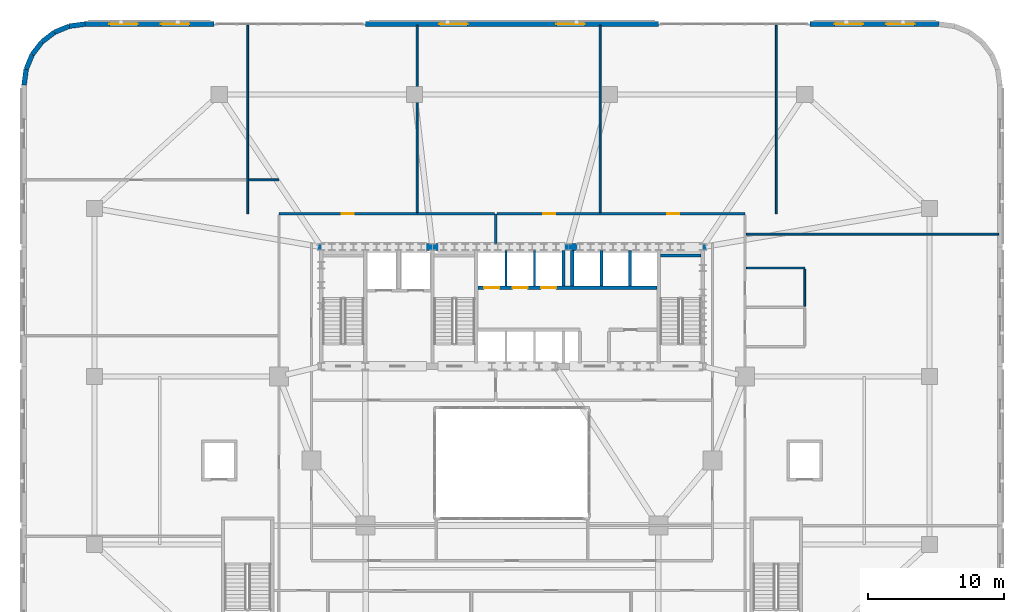
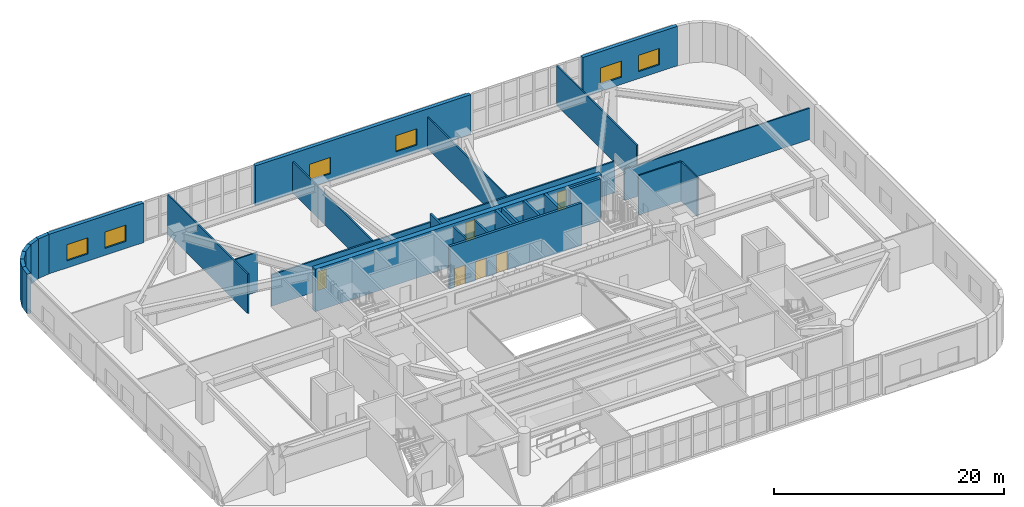
# One storey, part 16 of 25: 29 walls, 6 doors, 6 windows, 12 openings.
"""IFC4 building model written with IfcOpenShell, lengths in metres."""

from ifc_helpers import new_model, si_unit, direction, frame, frame_2d, origin, place, context, subcontext, project, spatial, rectangle, extrude, material, layer, layer_set, type_object, element, fill, save


model = new_model("IFC4")

# Units and contexts
model_context = context("Model", 3, precision=1e-05, world=origin(), true_north=direction((0.0, 1.0)))
body_context = subcontext(model_context, "Body", "Model", "MODEL_VIEW")
ifc_project = project(units=[si_unit("LENGTHUNIT", "METRE"), si_unit("AREAUNIT", "SQUARE_METRE"), si_unit("VOLUMEUNIT", "CUBIC_METRE"), si_unit("PLANEANGLEUNIT", "RADIAN"), si_unit("MASSUNIT", "GRAM", prefix="KILO")], contexts=[model_context])

# Site, building, storey
site_placement = place(None, origin())
site = spatial("IfcSite", under=ifc_project, at=site_placement, CompositionType="ELEMENT")
building_placement = place(site_placement, origin())
building = spatial("IfcBuilding", under=site, at=building_placement, Name="Haldorwick Loom Tower", CompositionType="ELEMENT")
storey_placement = place(building_placement, frame((0.0, 0.0, 6.0)))
storey = spatial("IfcBuildingStorey", under=building, at=storey_placement, Name="L01", CompositionType="ELEMENT", Elevation=6.0)

# Wall, openings, windows
ifc_material_1 = material(Name="Pressed Clay Face Brick and Insulated Masonry Backup Assembly", Category="masonry")
ifc_layer_1 = layer(ifc_material_1, 0.360107421875, Name="Pressed Clay Face Brick and Insulated Masonry Backup Assembly", Category="masonry")
ifc_layer_set_1 = layer_set([ifc_layer_1], Name="Pressed Clay Face Brick and Insulated Masonry Backup Assembly")
wall_type_1 = type_object("IfcWallType", Name="ARC-WL-EXT360", PredefinedType="STANDARD", material=ifc_layer_set_1)
wall_1_placement = place(storey_placement, frame((67.5, 52.0, 0.0), z_axis=(0.0, 0.0, 1.0), x_axis=(-1.0, 0.0, 0.0)))
wall_1 = element("IfcWall", 1, at=wall_1_placement, inside=storey, type_object=wall_type_1, Name="L01 Brick Pier and Spandrel Wall 17", PredefinedType="STANDARD", context=body_context, shape_type="SweptSolid", body=[
    extrude(rectangle(XDim=9.5, YDim=0.360107421875, at=frame_2d((4.75, 0.0))), origin(), (0.0, 0.0, 1.0), 4.199951171875),
])
opening_1_placement = place(wall_1_placement, frame((1.800048828125, 0.0, 0.75)))
opening_1 = element("IfcOpeningElement", 2, at=opening_1_placement, cuts=wall_1, Name="Opening W-04", PredefinedType="OPENING", context=body_context, shape_type="SweptSolid", body=[
    extrude(rectangle(XDim=2.10009765625, YDim=1.719970703125, at=frame_2d((1.050048828125, 0.85986328125))), frame((0.0, 0.18994140625, 0.0), z_axis=(0.0, -1.0, 0.0), x_axis=(1.0, 0.0, 0.0)), (0.0, 0.0, 1.0), 0.380126953125),
])
opening_2_placement = place(wall_1_placement, frame((5.60009765625, 0.0, 0.75)))
opening_2 = element("IfcOpeningElement", 3, at=opening_2_placement, cuts=wall_1, Name="Opening W-04", PredefinedType="OPENING", context=body_context, shape_type="SweptSolid", body=[
    extrude(rectangle(XDim=2.10009765625, YDim=1.719970703125, at=frame_2d((1.050048828125, 0.85986328125))), frame((0.0, 0.18994140625, 0.0), z_axis=(0.0, -1.0, 0.0), x_axis=(1.0, 0.0, 0.0)), (0.0, 0.0, 1.0), 0.380126953125),
])
ifc_material_2 = material(Name="Triple-Glazed Low-E Argon Insulated Glazing Unit", Category="glass")
window_type = type_object("IfcWindowType", Name="ARC-WIN-W210", PartitioningType="SINGLE_PANEL", PredefinedType="WINDOW", material=ifc_material_2)
window_1_placement = place(opening_1_placement, origin())
window_1 = element("IfcWindow", 4, at=window_1_placement, inside=storey, type_object=window_type, Name="L01 Deep-Set Zone 7A Window 17", OverallHeight=1.719970703125, OverallWidth=2.10009765625, PartitioningType="SINGLE_PANEL", PredefinedType="WINDOW", context=body_context, shape_type="SweptSolid", body=[
    extrude(rectangle(XDim=2.10009765625, YDim=1.719970703125, at=frame_2d((1.050048828125, 0.85986328125))), frame((0.0, 0.030029296875, 0.0), z_axis=(0.0, -1.0, 0.0), x_axis=(1.0, 0.0, 0.0)), (0.0, 0.0, 1.0), 0.06005859375),
])
fill(opening_1, window_1)
window_2_placement = place(opening_2_placement, origin())
window_2 = element("IfcWindow", 5, at=window_2_placement, inside=storey, type_object=window_type, Name="L01 Deep-Set Zone 7A Window 17", OverallHeight=1.719970703125, OverallWidth=2.10009765625, PartitioningType="SINGLE_PANEL", PredefinedType="WINDOW", context=body_context, shape_type="SweptSolid", body=[
    extrude(rectangle(XDim=2.10009765625, YDim=1.719970703125, at=frame_2d((1.050048828125, 0.85986328125))), frame((0.0, 0.030029296875, 0.0), z_axis=(0.0, -1.0, 0.0), x_axis=(1.0, 0.0, 0.0)), (0.0, 0.0, 1.0), 0.06005859375),
])
fill(opening_2, window_2)

wall_2_placement = place(storey_placement, frame((46.800048828125, 52.0, 0.0), z_axis=(0.0, 0.0, 1.0), x_axis=(-1.0, 0.0, 0.0)))
wall_2 = element("IfcWall", 6, at=wall_2_placement, inside=storey, type_object=wall_type_1, Name="L01 Brick Pier and Spandrel Wall 19", PredefinedType="STANDARD", context=body_context, shape_type="SweptSolid", body=[
    extrude(rectangle(XDim=21.60009765625, YDim=0.360107421875, at=frame_2d((10.800048828125, 0.0))), origin(), (0.0, 0.0, 1.0), 4.199951171875),
])
opening_3_placement = place(wall_2_placement, frame((5.429931640625, 0.0, 0.75)))
opening_3 = element("IfcOpeningElement", 7, at=opening_3_placement, cuts=wall_2, Name="Opening W-04", PredefinedType="OPENING", context=body_context, shape_type="SweptSolid", body=[
    extrude(rectangle(XDim=2.10009765625, YDim=1.719970703125, at=frame_2d((1.050048828125, 0.85986328125))), frame((0.0, 0.18994140625, 0.0), z_axis=(0.0, -1.0, 0.0), x_axis=(1.0, 0.0, 0.0)), (0.0, 0.0, 1.0), 0.380126953125),
])
opening_4_placement = place(wall_2_placement, frame((14.070068359375, 0.0, 0.75)))
opening_4 = element("IfcOpeningElement", 8, at=opening_4_placement, cuts=wall_2, Name="Opening W-04", PredefinedType="OPENING", context=body_context, shape_type="SweptSolid", body=[
    extrude(rectangle(XDim=2.10009765625, YDim=1.719970703125, at=frame_2d((1.050048828125, 0.85986328125))), frame((0.0, 0.18994140625, 0.0), z_axis=(0.0, -1.0, 0.0), x_axis=(1.0, 0.0, 0.0)), (0.0, 0.0, 1.0), 0.380126953125),
])
window_3_placement = place(opening_3_placement, origin())
window_3 = element("IfcWindow", 9, at=window_3_placement, inside=storey, type_object=window_type, Name="L01 Deep-Set Zone 7A Window 19", OverallHeight=1.719970703125, OverallWidth=2.10009765625, PartitioningType="SINGLE_PANEL", PredefinedType="WINDOW", context=body_context, shape_type="SweptSolid", body=[
    extrude(rectangle(XDim=2.10009765625, YDim=1.719970703125, at=frame_2d((1.050048828125, 0.85986328125))), frame((0.0, 0.030029296875, 0.0), z_axis=(0.0, -1.0, 0.0), x_axis=(1.0, 0.0, 0.0)), (0.0, 0.0, 1.0), 0.06005859375),
])
fill(opening_3, window_3)
window_4_placement = place(opening_4_placement, origin())
window_4 = element("IfcWindow", 10, at=window_4_placement, inside=storey, type_object=window_type, Name="L01 Deep-Set Zone 7A Window 19", OverallHeight=1.719970703125, OverallWidth=2.10009765625, PartitioningType="SINGLE_PANEL", PredefinedType="WINDOW", context=body_context, shape_type="SweptSolid", body=[
    extrude(rectangle(XDim=2.10009765625, YDim=1.719970703125, at=frame_2d((1.050048828125, 0.85986328125))), frame((0.0, 0.030029296875, 0.0), z_axis=(0.0, -1.0, 0.0), x_axis=(1.0, 0.0, 0.0)), (0.0, 0.0, 1.0), 0.06005859375),
])
fill(opening_4, window_4)

wall_3_placement = place(storey_placement, frame((14.0, 52.0, 0.0), z_axis=(0.0, 0.0, 1.0), x_axis=(-1.0, 0.0, 0.0)))
wall_3 = element("IfcWall", 11, at=wall_3_placement, inside=storey, type_object=wall_type_1, Name="L01 Brick Pier and Spandrel Wall 21", PredefinedType="STANDARD", context=body_context, shape_type="SweptSolid", body=[
    extrude(rectangle(XDim=9.5, YDim=0.360107421875, at=frame_2d((4.75, 0.0))), origin(), (0.0, 0.0, 1.0), 4.199951171875),
])
opening_5_placement = place(wall_3_placement, frame((1.800048828125, 0.0, 0.75)))
opening_5 = element("IfcOpeningElement", 12, at=opening_5_placement, cuts=wall_3, Name="Opening W-04", PredefinedType="OPENING", context=body_context, shape_type="SweptSolid", body=[
    extrude(rectangle(XDim=2.10009765625, YDim=1.719970703125, at=frame_2d((1.050048828125, 0.85986328125))), frame((0.0, 0.18994140625, 0.0), z_axis=(0.0, -1.0, 0.0), x_axis=(1.0, 0.0, 0.0)), (0.0, 0.0, 1.0), 0.380126953125),
])
opening_6_placement = place(wall_3_placement, frame((5.60009765625, 0.0, 0.75)))
opening_6 = element("IfcOpeningElement", 13, at=opening_6_placement, cuts=wall_3, Name="Opening W-04", PredefinedType="OPENING", context=body_context, shape_type="SweptSolid", body=[
    extrude(rectangle(XDim=2.10009765625, YDim=1.719970703125, at=frame_2d((1.050048828125, 0.85986328125))), frame((0.0, 0.18994140625, 0.0), z_axis=(0.0, -1.0, 0.0), x_axis=(1.0, 0.0, 0.0)), (0.0, 0.0, 1.0), 0.380126953125),
])
window_5_placement = place(opening_5_placement, origin())
window_5 = element("IfcWindow", 14, at=window_5_placement, inside=storey, type_object=window_type, Name="L01 Deep-Set Zone 7A Window 21", OverallHeight=1.719970703125, OverallWidth=2.10009765625, PartitioningType="SINGLE_PANEL", PredefinedType="WINDOW", context=body_context, shape_type="SweptSolid", body=[
    extrude(rectangle(XDim=2.10009765625, YDim=1.719970703125, at=frame_2d((1.050048828125, 0.85986328125))), frame((0.0, 0.030029296875, 0.0), z_axis=(0.0, -1.0, 0.0), x_axis=(1.0, 0.0, 0.0)), (0.0, 0.0, 1.0), 0.06005859375),
])
fill(opening_5, window_5)
window_6_placement = place(opening_6_placement, origin())
window_6 = element("IfcWindow", 15, at=window_6_placement, inside=storey, type_object=window_type, Name="L01 Deep-Set Zone 7A Window 21", OverallHeight=1.719970703125, OverallWidth=2.10009765625, PartitioningType="SINGLE_PANEL", PredefinedType="WINDOW", context=body_context, shape_type="SweptSolid", body=[
    extrude(rectangle(XDim=2.10009765625, YDim=1.719970703125, at=frame_2d((1.050048828125, 0.85986328125))), frame((0.0, 0.030029296875, 0.0), z_axis=(0.0, -1.0, 0.0), x_axis=(1.0, 0.0, 0.0)), (0.0, 0.0, 1.0), 0.06005859375),
])
fill(opening_6, window_6)

# Walls
wall_4_placement = place(storey_placement, frame((4.5, 52.0, 0.0), z_axis=(0.0, 0.0, 1.0), x_axis=(-0.991447928588, -0.130502892298, 0.0)))
element("IfcWall", 16, at=wall_4_placement, inside=storey, type_object=wall_type_1, Name="L01 Brick Pier and Spandrel Wall 22", PredefinedType="STANDARD", context=body_context, shape_type="SweptSolid", body=[
    extrude(rectangle(XDim=1.1748046875, YDim=0.360107421875, at=frame_2d((0.58740234375, 0.0))), origin(), (0.0, 0.0, 1.0), 4.199951171875),
])
wall_5_placement = place(storey_placement, frame((3.335205078125, 51.8466796875, 0.0), z_axis=(0.0, 0.0, 1.0), x_axis=(-0.923892706888, -0.382651625058, 0.0)))
element("IfcWall", 17, at=wall_5_placement, inside=storey, type_object=wall_type_1, Name="L01 Brick Pier and Spandrel Wall 23", PredefinedType="STANDARD", context=body_context, shape_type="SweptSolid", body=[
    extrude(rectangle(XDim=1.174560546875, YDim=0.360107421875, at=frame_2d((0.58740234375, 0.0))), origin(), (0.0, 0.0, 1.0), 4.199951171875),
])
for number, where, z_axis, x_axis, name in (
    (18, (2.25, 51.397216796875, 0.0), (0.0, 0.0, 1.0), (-0.79324162823, -0.60890698735, 0.0), "L01 Brick Pier and Spandrel Wall 24"),
    (19, (1.318115234375, 50.681884765625, 0.0), (0.0, 0.0, 1.0), (-0.60890698735, -0.79324162823, 0.0), "L01 Brick Pier and Spandrel Wall 25"),
):
    element("IfcWall", number, at=place(storey_placement, frame(where, z_axis=z_axis, x_axis=x_axis)), inside=storey, type_object=wall_type_1, Name=name, PredefinedType="STANDARD", context=body_context, shape_type="SweptSolid", body=[
        extrude(rectangle(XDim=1.1748046875, YDim=0.360107421875, at=frame_2d((0.58740234375, 0.0))), origin(), (0.0, 0.0, 1.0), 4.199951171875),
    ])
wall_6_placement = place(storey_placement, frame((0.602783203125, 49.75, 0.0), z_axis=(0.0, 0.0, 1.0), x_axis=(-0.382651625058, -0.923892706888, 0.0)))
element("IfcWall", 20, at=wall_6_placement, inside=storey, type_object=wall_type_1, Name="L01 Brick Pier and Spandrel Wall 26", PredefinedType="STANDARD", context=body_context, shape_type="SweptSolid", body=[
    extrude(rectangle(XDim=1.174560546875, YDim=0.360107421875, at=frame_2d((0.58740234375, 0.0))), origin(), (0.0, 0.0, 1.0), 4.199951171875),
])
wall_7_placement = place(storey_placement, frame((0.1533203125, 48.664794921875, 0.0), z_axis=(0.0, 0.0, 1.0), x_axis=(-0.130502892298, -0.991447928588, 0.0)))
element("IfcWall", 21, at=wall_7_placement, inside=storey, type_object=wall_type_1, Name="L01 Brick Pier and Spandrel Wall 27", PredefinedType="STANDARD", context=body_context, shape_type="SweptSolid", body=[
    extrude(rectangle(XDim=1.1748046875, YDim=0.360107421875, at=frame_2d((0.58740234375, 0.0))), origin(), (0.0, 0.0, 1.0), 4.199951171875),
])
ifc_material_3 = material(Name="Fire-Rated Type X Gypsum Stud Assembly EI 60")
ifc_layer_2 = layer(ifc_material_3, 0.159912109375, Name="Fire-Rated Type X Gypsum Stud Assembly EI 60")
ifc_layer_set_2 = layer_set([ifc_layer_2], Name="Fire-Rated Type X Gypsum Stud Assembly EI 60")
wall_type_2 = type_object("IfcWallType", Name="ARC-WL-FIRE160", PredefinedType="PARTITIONING", material=ifc_layer_set_2)
wall_8_placement = place(storey_placement, frame((34.800048828125, 35.802978515625, 0.0), z_axis=(0.0, 0.0, 1.0), x_axis=(0.0, 1.0, 0.0)))
element("IfcWall", 22, at=wall_8_placement, inside=storey, type_object=wall_type_2, Name="L01 Podium Partition L01-CCN", PredefinedType="PARTITIONING", context=body_context, shape_type="SweptSolid", body=[
    extrude(rectangle(XDim=2.197021484375, YDim=0.159912109375, at=frame_2d((1.0986328125, 0.0))), origin(), (0.0, 0.0, 1.0), 4.18505859375),
])

# Wall, opening, door
wall_9_placement = place(storey_placement, frame((18.800048828125, 38.0, 0.0), z_axis=(0.0, 0.0, 1.0), x_axis=(1.0, 0.0, 0.0)))
wall_9 = element("IfcWall", 23, at=wall_9_placement, inside=storey, type_object=wall_type_2, Name="L01 Podium Partition L01-CN0", PredefinedType="PARTITIONING", context=body_context, shape_type="SweptSolid", body=[
    extrude(rectangle(XDim=15.9169921875, YDim=0.159912109375, at=frame_2d((7.95849609375, 0.0))), origin(), (0.0, 0.0, 1.0), 3.320068359375),
])
opening_7_placement = place(wall_9_placement, frame((4.634521484375, 0.0, 0.0)))
opening_7 = element("IfcOpeningElement", 24, at=opening_7_placement, cuts=wall_9, Name="Opening D-FD60A", PredefinedType="OPENING", context=body_context, shape_type="SweptSolid", body=[
    extrude(rectangle(XDim=0.89990234375, YDim=2.0, at=frame_2d((0.449951171875, 1.0))), frame((0.0, 0.08984375, 0.0), z_axis=(0.0, -1.0, 0.0), x_axis=(1.0, 0.0, 0.0)), (0.0, 0.0, 1.0), 0.179931640625),
])
ifc_material_4 = material(Name="Hollow Steel Fire Door Assembly", Category="steel")
door_type_1 = type_object("IfcDoorType", Name="ARC-DR-FD60-90", OperationType="NOTDEFINED", PredefinedType="DOOR", material=ifc_material_4)
door_1_placement = place(opening_7_placement, frame((0.89990234375, 0.0, 0.0), z_axis=(0.0, 0.0, 1.0), x_axis=(-1.0, 0.0, 0.0)))
door_1 = element("IfcDoor", 25, at=door_1_placement, inside=storey, type_object=door_type_1, Name="L01 Outpatient Waiting Hall 19 to L01 South Clinic Corridor Door", OperationType="SINGLE_SWING_RIGHT", OverallHeight=2.0, OverallWidth=0.89990234375, PredefinedType="DOOR", context=body_context, shape_type="SweptSolid", body=[
    extrude(rectangle(XDim=0.89990234375, YDim=2.0, at=frame_2d((0.449951171875, 1.0))), frame((0.0, 0.02490234375, 0.0), z_axis=(0.0, -1.0, 0.0), x_axis=(1.0, 0.0, 0.0)), (0.0, 0.0, 1.0), 0.050048828125),
])
fill(opening_7, door_1)

# Wall, openings, doors
wall_10_placement = place(storey_placement, frame((34.883056640625, 38.0, 0.0), z_axis=(0.0, 0.0, 1.0), x_axis=(1.0, 0.0, 0.0)))
wall_10 = element("IfcWall", 26, at=wall_10_placement, inside=storey, type_object=wall_type_2, Name="L01 Podium Partition L01-CN0", PredefinedType="PARTITIONING", context=body_context, shape_type="SweptSolid", body=[
    extrude(rectangle(XDim=18.31689453125, YDim=0.159912109375, at=frame_2d((9.158447265625, 0.0))), origin(), (0.0, 0.0, 1.0), 3.320068359375),
])
opening_8_placement = place(wall_10_placement, frame((12.570556640625, 0.0, 0.0)))
opening_8 = element("IfcOpeningElement", 27, at=opening_8_placement, cuts=wall_10, Name="Opening D-FD60A", PredefinedType="OPENING", context=body_context, shape_type="SweptSolid", body=[
    extrude(rectangle(XDim=0.89990234375, YDim=2.0, at=frame_2d((0.449951171875, 1.0))), frame((0.0, 0.08984375, 0.0), z_axis=(0.0, -1.0, 0.0), x_axis=(1.0, 0.0, 0.0)), (0.0, 0.0, 1.0), 0.179931640625),
])
opening_9_placement = place(wall_10_placement, frame((3.412109375, 0.0, 0.0)))
opening_9 = element("IfcOpeningElement", 28, at=opening_9_placement, cuts=wall_10, Name="Opening D-FD60A", PredefinedType="OPENING", context=body_context, shape_type="SweptSolid", body=[
    extrude(rectangle(XDim=0.89990234375, YDim=2.0, at=frame_2d((0.449951171875, 1.0))), frame((0.0, 0.08984375, 0.0), z_axis=(0.0, -1.0, 0.0), x_axis=(1.0, 0.0, 0.0)), (0.0, 0.0, 1.0), 0.179931640625),
])
door_2_placement = place(opening_8_placement, frame((0.89990234375, 0.0, 0.0), z_axis=(0.0, 0.0, 1.0), x_axis=(-1.0, 0.0, 0.0)))
door_2 = element("IfcDoor", 29, at=door_2_placement, inside=storey, type_object=door_type_1, Name="L01 Patient Registration Office 20 to L01 South Clinic Corridor Door", OperationType="SINGLE_SWING_LEFT", OverallHeight=2.0, OverallWidth=0.89990234375, PredefinedType="DOOR", context=body_context, shape_type="SweptSolid", body=[
    extrude(rectangle(XDim=0.89990234375, YDim=2.0, at=frame_2d((0.449951171875, 1.0))), frame((0.0, 0.02490234375, 0.0), z_axis=(0.0, -1.0, 0.0), x_axis=(1.0, 0.0, 0.0)), (0.0, 0.0, 1.0), 0.050048828125),
])
fill(opening_8, door_2)
door_3_placement = place(opening_9_placement, frame((0.89990234375, 0.0, 0.0), z_axis=(0.0, 0.0, 1.0), x_axis=(-1.0, 0.0, 0.0)))
door_3 = element("IfcDoor", 30, at=door_3_placement, inside=storey, type_object=door_type_1, Name="L01 Station Mezzanine Lounge 21 to L01 South Clinic Corridor Door", OperationType="SINGLE_SWING_RIGHT", OverallHeight=2.0, OverallWidth=0.89990234375, PredefinedType="DOOR", context=body_context, shape_type="SweptSolid", body=[
    extrude(rectangle(XDim=0.89990234375, YDim=2.0, at=frame_2d((0.449951171875, 1.0))), frame((0.0, 0.02490234375, 0.0), z_axis=(0.0, -1.0, 0.0), x_axis=(1.0, 0.0, 0.0)), (0.0, 0.0, 1.0), 0.050048828125),
])
fill(opening_9, door_3)

# Walls
ifc_layer_3 = layer(ifc_material_3, 0.139892578125, Name="Fire-Rated Type X Gypsum Stud Assembly EI 60")
ifc_layer_set_3 = layer_set([ifc_layer_3], Name="Fire-Rated Type X Gypsum Stud Assembly EI 60")
wall_type_3 = type_object("IfcWallType", Name="ARC-WL-PART140", PredefinedType="PARTITIONING", material=ifc_layer_set_3)
wall_11_placement = place(storey_placement, frame((53.282958984375, 34.0, 0.0), z_axis=(0.0, 0.0, 1.0), x_axis=(1.0, 0.0, 0.0)))
element("IfcWall", 31, at=wall_11_placement, inside=storey, type_object=wall_type_3, Name="L01 Podium Partition L01-WC3", PredefinedType="PARTITIONING", context=body_context, shape_type="SweptSolid", body=[
    extrude(rectangle(XDim=4.317138671875, YDim=0.139892578125, at=frame_2d((2.15869140625, 0.0))), origin(), (0.0, 0.0, 1.0), 4.18505859375),
])
wall_12_placement = place(storey_placement, frame((57.60009765625, 31.173095703125, 0.0), z_axis=(0.0, 0.0, 1.0), x_axis=(0.0, 1.0, 0.0)))
element("IfcWall", 32, at=wall_12_placement, inside=storey, type_object=wall_type_3, Name="L01 Podium Partition L01-WC4", PredefinedType="PARTITIONING", context=body_context, shape_type="SweptSolid", body=[
    extrude(rectangle(XDim=2.75390625, YDim=0.139892578125, at=frame_2d((1.376953125, 0.0))), origin(), (0.0, 0.0, 1.0), 4.18505859375),
])
wall_13_placement = place(storey_placement, frame((16.5, 38.0, 0.0), z_axis=(0.0, 0.0, 1.0), x_axis=(0.0, 1.0, 0.0)))
element("IfcWall", 33, at=wall_13_placement, inside=storey, type_object=wall_type_3, Name="L01 Podium Partition L01-PN-0", PredefinedType="PARTITIONING", context=body_context, shape_type="SweptSolid", body=[
    extrude(rectangle(XDim=13.89990234375, YDim=0.139892578125, at=frame_2d((6.949951171875, 0.0))), origin(), (0.0, 0.0, 1.0), 4.18505859375),
])
for number, where, z_axis, x_axis, name in (
    (34, (29.0, 38.0830078125, 0.0), (0.0, 0.0, 1.0), (0.0, 1.0, 0.0), "L01 Podium Partition L01-PN-1"),
    (35, (42.5, 38.0830078125, 0.0), (0.0, 0.0, 1.0), (0.0, 1.0, 0.0), "L01 Podium Partition L01-PN-2"),
):
    element("IfcWall", number, at=place(storey_placement, frame(where, z_axis=z_axis, x_axis=x_axis)), inside=storey, type_object=wall_type_3, Name=name, PredefinedType="PARTITIONING", context=body_context, shape_type="SweptSolid", body=[
        extrude(rectangle(XDim=13.81689453125, YDim=0.139892578125, at=frame_2d((6.908447265625, 0.0))), origin(), (0.0, 0.0, 1.0), 3.320068359375),
    ])
wall_14_placement = place(storey_placement, frame((55.5, 38.0, 0.0), z_axis=(0.0, 0.0, 1.0), x_axis=(0.0, 1.0, 0.0)))
element("IfcWall", 36, at=wall_14_placement, inside=storey, type_object=wall_type_3, Name="L01 Podium Partition L01-PN-3", PredefinedType="PARTITIONING", context=body_context, shape_type="SweptSolid", body=[
    extrude(rectangle(XDim=13.89990234375, YDim=0.139892578125, at=frame_2d((6.949951171875, 0.0))), origin(), (0.0, 0.0, 1.0), 4.18505859375),
])
wall_15_placement = place(storey_placement, frame((16.572998046875, 40.5, 0.0), z_axis=(0.0, 0.0, 1.0), x_axis=(1.0, 0.0, 0.0)))
element("IfcWall", 37, at=wall_15_placement, inside=storey, type_object=wall_type_3, Name="L01 Podium Partition L01-PW-2", PredefinedType="PARTITIONING", context=body_context, shape_type="SweptSolid", body=[
    extrude(rectangle(XDim=2.22705078125, YDim=0.139892578125, at=frame_2d((1.113525390625, 0.0))), origin(), (0.0, 0.0, 1.0), 4.18505859375),
])
wall_16_placement = place(storey_placement, frame((53.282958984375, 36.5, 0.0), z_axis=(0.0, 0.0, 1.0), x_axis=(1.0, 0.0, 0.0)))
element("IfcWall", 38, at=wall_16_placement, inside=storey, type_object=wall_type_3, Name="L01 Podium Partition L01-PE-1", PredefinedType="PARTITIONING", context=body_context, shape_type="SweptSolid", body=[
    extrude(rectangle(XDim=18.616943359375, YDim=0.139892578125, at=frame_2d((9.30859375, 0.0))), origin(), (0.0, 0.0, 1.0), 3.320068359375),
])
ifc_material_5 = material(Name="Fire-Rated Type X Gypsum Stud Assembly EI 120")
ifc_layer_4 = layer(ifc_material_5, 0.1650390625, Name="Fire-Rated Type X Gypsum Stud Assembly EI 120")
ifc_layer_set_4 = layer_set([ifc_layer_4], Name="Fire-Rated Type X Gypsum Stud Assembly EI 120")
wall_type_4 = type_object("IfcWallType", Name="ARC-WL-SHAFT160", PredefinedType="MOVABLE", material=ifc_layer_set_4)
for number, where, z_axis, x_axis, name in (
    (39, (35.550048828125, 32.673095703125, 0.0), (0.0, 0.0, 1.0), (0.0, 1.0, 0.0), "L01 Low-Rise Hoistway Divider 1"),
    (40, (37.64990234375, 32.673095703125, 0.0), (0.0, 0.0, 1.0), (0.0, 1.0, 0.0), "L01 Low-Rise Hoistway Divider 2"),
):
    element("IfcWall", number, at=place(storey_placement, frame(where, z_axis=z_axis, x_axis=x_axis)), inside=storey, type_object=wall_type_4, Name=name, PredefinedType="MOVABLE", context=body_context, shape_type="SweptSolid", body=[
        extrude(rectangle(XDim=2.6240234375, YDim=0.159912109375, at=frame_2d((1.31201171875, 0.0))), origin(), (0.0, 0.0, 1.0), 4.18505859375),
    ])
ifc_material_6 = material(Name="Concrete C60 (60 MPa)", Category="concrete")
ifc_layer_5 = layer(ifc_material_6, 0.5, Name="Concrete C60 (60 MPa)", Category="concrete")
ifc_layer_set_5 = layer_set([ifc_layer_5], Name="Concrete C60 (60 MPa)")
wall_type_5 = type_object("IfcWallType", Name="STR-WL-CORE500", PredefinedType="SHEAR", material=ifc_layer_set_5)
wall_17_placement = place(storey_placement, frame((50.35009765625, 35.550048828125, 0.0), z_axis=(0.0, 0.0, 1.0), x_axis=(-1.0, 0.0, 0.0)))
element("IfcWall", 41, at=wall_17_placement, inside=storey, type_object=wall_type_5, Name="L01 Core Shear Wall N", PredefinedType="SHEAR", context=body_context, shape_type="SweptSolid", body=[
    extrude(rectangle(XDim=28.7001953125, YDim=0.5, at=frame_2d((14.35009765625, 0.0))), origin(), (0.0, 0.0, 1.0), 4.5),
])
ifc_material_7 = material(Name="Concrete C50 (50 MPa)", Category="concrete")
ifc_layer_6 = layer(ifc_material_7, 0.239990234375, Name="Concrete C50 (50 MPa)", Category="concrete")
ifc_layer_set_6 = layer_set([ifc_layer_6], Name="Concrete C50 (50 MPa)")
wall_type_6 = type_object("IfcWallType", Name="STR-WL-SHAFT240", PredefinedType="SHEAR", material=ifc_layer_set_6)
wall_18_placement = place(storey_placement, frame((46.952880859375, 34.919921875, 0.0), z_axis=(0.0, 0.0, 1.0), x_axis=(1.0, 0.0, 0.0)))
element("IfcWall", 42, at=wall_18_placement, inside=storey, type_object=wall_type_6, Name="L01 Core Shear Wall 4N", PredefinedType="SHEAR", context=body_context, shape_type="SweptSolid", body=[
    extrude(rectangle(XDim=2.994140625, YDim=0.239990234375, at=frame_2d((1.4970703125, 0.0))), origin(), (0.0, 0.0, 1.0), 4.5),
])

# Wall, openings, doors
wall_19_placement = place(storey_placement, frame((33.492919921875, 32.550048828125, 0.0), z_axis=(0.0, 0.0, 1.0), x_axis=(1.0, 0.0, 0.0)))
wall_19 = element("IfcWall", 43, at=wall_19_placement, inside=storey, type_object=wall_type_6, Name="L01 Core Shear Wall LN", PredefinedType="SHEAR", context=body_context, shape_type="SweptSolid", body=[
    extrude(rectangle(XDim=13.214111328125, YDim=0.239990234375, at=frame_2d((6.60693359375, 0.0))), origin(), (0.0, 0.0, 1.0), 4.5),
])
opening_10_placement = place(wall_19_placement, frame((0.447021484375, 0.0, 0.0)))
opening_10 = element("IfcOpeningElement", 44, at=opening_10_placement, cuts=wall_19, Name="Opening LD-L1", PredefinedType="OPENING", context=body_context, shape_type="SweptSolid", body=[
    extrude(rectangle(XDim=1.1201171875, YDim=2.0, at=frame_2d((0.56005859375, 1.0))), frame((0.0, 0.1298828125, 0.0), z_axis=(0.0, -1.0, 0.0), x_axis=(1.0, 0.0, 0.0)), (0.0, 0.0, 1.0), 0.260009765625),
])
opening_11_placement = place(wall_19_placement, frame((2.547119140625, 0.0, 0.0)))
opening_11 = element("IfcOpeningElement", 45, at=opening_11_placement, cuts=wall_19, Name="Opening LD-L2", PredefinedType="OPENING", context=body_context, shape_type="SweptSolid", body=[
    extrude(rectangle(XDim=1.1201171875, YDim=2.0, at=frame_2d((0.56005859375, 1.0))), frame((0.0, 0.1298828125, 0.0), z_axis=(0.0, -1.0, 0.0), x_axis=(1.0, 0.0, 0.0)), (0.0, 0.0, 1.0), 0.260009765625),
])
opening_12_placement = place(wall_19_placement, frame((4.64697265625, 0.0, 0.0)))
opening_12 = element("IfcOpeningElement", 46, at=opening_12_placement, cuts=wall_19, Name="Opening LD-L3", PredefinedType="OPENING", context=body_context, shape_type="SweptSolid", body=[
    extrude(rectangle(XDim=1.1201171875, YDim=2.0, at=frame_2d((0.56005859375, 1.0))), frame((0.0, 0.1298828125, 0.0), z_axis=(0.0, -1.0, 0.0), x_axis=(1.0, 0.0, 0.0)), (0.0, 0.0, 1.0), 0.260009765625),
])
door_type_2 = type_object("IfcDoorType", Name="ARC-DR-LD-PAX", OperationType="NOTDEFINED", PredefinedType="USERDEFINED", material=ifc_material_4)
door_4_placement = place(opening_10_placement, origin())
door_4 = element("IfcDoor", 47, at=door_4_placement, inside=storey, type_object=door_type_2, Name="L01 Lift LF-L1 Sliding Landing Door", ObjectType="LANDING DOOR", OperationType="DOUBLE_DOOR_SLIDING", OverallHeight=2.0, OverallWidth=1.1201171875, PredefinedType="USERDEFINED", context=body_context, shape_type="SweptSolid", body=[
    extrude(rectangle(XDim=1.1201171875, YDim=2.0, at=frame_2d((0.56005859375, 1.0))), frame((0.0, 0.02490234375, 0.0), z_axis=(0.0, -1.0, 0.0), x_axis=(1.0, 0.0, 0.0)), (0.0, 0.0, 1.0), 0.050048828125),
])
fill(opening_10, door_4)
door_5_placement = place(opening_11_placement, origin())
door_5 = element("IfcDoor", 48, at=door_5_placement, inside=storey, type_object=door_type_2, Name="L01 Lift LF-L2 Sliding Landing Door", ObjectType="LANDING DOOR", OperationType="DOUBLE_DOOR_SLIDING", OverallHeight=2.0, OverallWidth=1.1201171875, PredefinedType="USERDEFINED", context=body_context, shape_type="SweptSolid", body=[
    extrude(rectangle(XDim=1.1201171875, YDim=2.0, at=frame_2d((0.56005859375, 1.0))), frame((0.0, 0.02490234375, 0.0), z_axis=(0.0, -1.0, 0.0), x_axis=(1.0, 0.0, 0.0)), (0.0, 0.0, 1.0), 0.050048828125),
])
fill(opening_11, door_5)
door_6_placement = place(opening_12_placement, origin())
door_6 = element("IfcDoor", 49, at=door_6_placement, inside=storey, type_object=door_type_2, Name="L01 Lift LF-L3 Sliding Landing Door", ObjectType="LANDING DOOR", OperationType="DOUBLE_DOOR_SLIDING", OverallHeight=2.0, OverallWidth=1.1201171875, PredefinedType="USERDEFINED", context=body_context, shape_type="SweptSolid", body=[
    extrude(rectangle(XDim=1.1201171875, YDim=2.0, at=frame_2d((0.56005859375, 1.0))), frame((0.0, 0.02490234375, 0.0), z_axis=(0.0, -1.0, 0.0), x_axis=(1.0, 0.0, 0.0)), (0.0, 0.0, 1.0), 0.050048828125),
])
fill(opening_12, door_6)

# Walls
for number, where, z_axis, x_axis, name in (
    (50, (39.800048828125, 32.673095703125, 0.0), (0.0, 0.0, 1.0), (0.0, 1.0, 0.0), "L01 Core Shear Wall LHW"),
    (51, (40.449951171875, 32.673095703125, 0.0), (0.0, 0.0, 1.0), (0.0, 1.0, 0.0), "L01 Core Shear Wall H0"),
    (52, (42.60009765625, 32.673095703125, 0.0), (0.0, 0.0, 1.0), (0.0, 1.0, 0.0), "L01 Core Shear Wall H1"),
    (53, (44.699951171875, 32.673095703125, 0.0), (0.0, 0.0, 1.0), (0.0, 1.0, 0.0), "L01 Core Shear Wall H2"),
):
    element("IfcWall", number, at=place(storey_placement, frame(where, z_axis=z_axis, x_axis=x_axis)), inside=storey, type_object=wall_type_6, Name=name, PredefinedType="SHEAR", context=body_context, shape_type="SweptSolid", body=[
        extrude(rectangle(XDim=2.6240234375, YDim=0.239990234375, at=frame_2d((1.31201171875, 0.0))), origin(), (0.0, 0.0, 1.0), 4.5),
    ])

save(model, "model.ifc")
